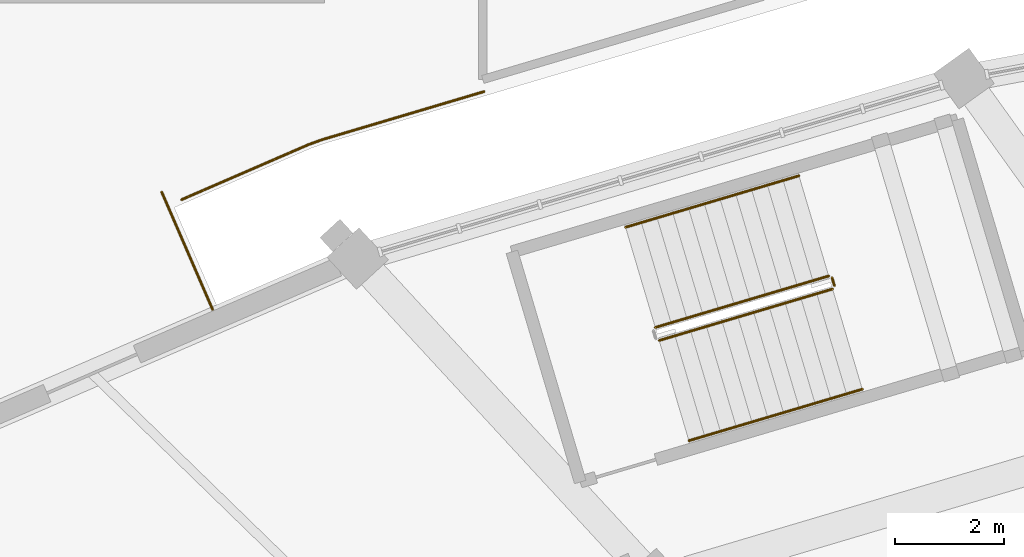
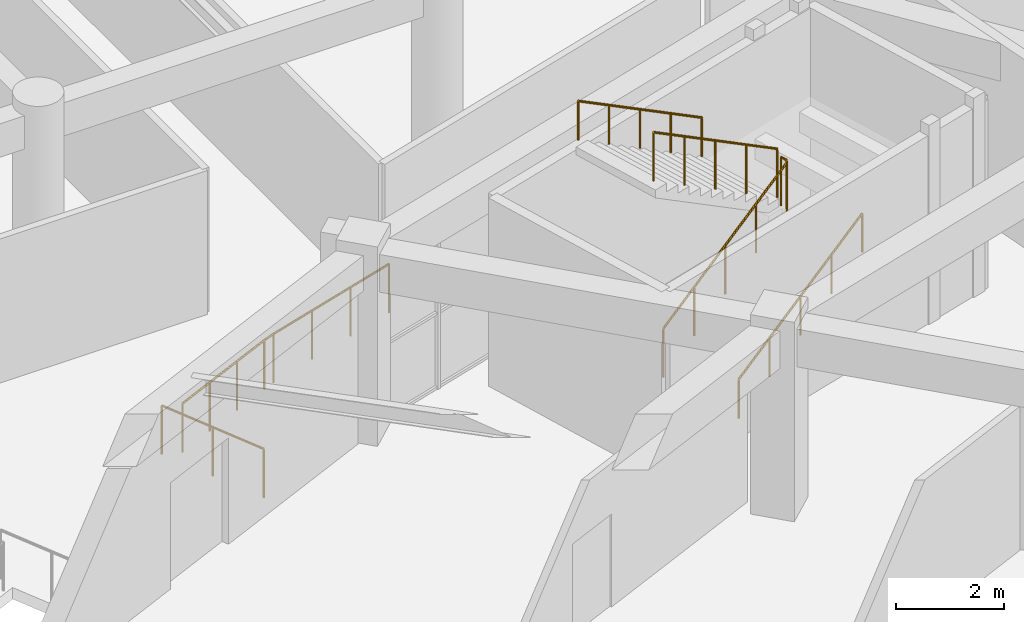
# One storey, part 138 of 145: 7 railings.
"""IFC4 building model written with IfcOpenShell, lengths in metres."""

from ifc_helpers import new_model, si_unit, direction, frame, origin, origin_2d, place, context, subcontext, project, spatial, circle, extrude, material, type_object, element, save


model = new_model("IFC4")

# Units and contexts
model_context = context("Model", 3, precision=1e-05, world=origin(), true_north=direction((0.0, 1.0)))
body_context = subcontext(model_context, "Body", "Model", "MODEL_VIEW")
ifc_project = project(units=[si_unit("LENGTHUNIT", "METRE"), si_unit("AREAUNIT", "SQUARE_METRE"), si_unit("VOLUMEUNIT", "CUBIC_METRE"), si_unit("PLANEANGLEUNIT", "RADIAN"), si_unit("MASSUNIT", "GRAM", prefix="KILO")], contexts=[model_context])

# Site, building, storey
site_placement = place(None, origin())
site = spatial("IfcSite", under=ifc_project, at=site_placement, CompositionType="ELEMENT")
building_placement = place(site_placement, origin())
building = spatial("IfcBuilding", under=site, at=building_placement, Name="Mphavela Belvedere Stadium", CompositionType="ELEMENT")
storey_placement = place(building_placement, frame((0.0, 0.0, 10.199951171875)))
storey = spatial("IfcBuildingStorey", under=building, at=storey_placement, Name="L02", CompositionType="ELEMENT", Elevation=10.199951171875)

# Railings
ifc_material_1 = material(Name="Bronze and laminated glass stadium balustrade", Category="glass")
railing_type_1 = type_object("IfcRailingType", Name="RAL-BALUSTRADE-1120", PredefinedType="BALUSTRADE", material=ifc_material_1)
railing_1_placement = place(storey_placement, frame((51.397216796875, 152.15380859375, 0.0)))
element("IfcRailing", 1, at=railing_1_placement, inside=storey, type_object=railing_type_1, Name="Colonnade link bridge balustrade L02-17A", PredefinedType="BALUSTRADE", context=body_context, shape_type="SweptSolid", body=[
    extrude(circle(Radius=0.02392578125, at=origin_2d()), frame((0.0, 0.0, 1.09619140625), z_axis=(-0.397677406785, 0.917525302176, 0.0), x_axis=(-0.917525302176, -0.397677406785, 0.0)), (0.0, 0.0, 1.0), 2.35009765625),
    extrude(circle(Radius=0.02099609375, at=origin_2d()), origin(), (0.0, 0.0, 1.0), 1.072021484375),
    extrude(circle(Radius=0.02099609375, at=origin_2d()), frame((-0.46728515625, 1.078125, 0.0)), (0.0, 0.0, 1.0), 1.072021484375),
    extrude(circle(Radius=0.02099609375, at=origin_2d()), frame((-0.9345703125, 2.15625, 0.0)), (0.0, 0.0, 1.0), 1.072021484375),
])
railing_2_placement = place(storey_placement, frame((56.3837890625, 156.15869140625, 0.0)))
element("IfcRailing", 2, at=railing_2_placement, inside=storey, type_object=railing_type_1, Name="Peristyle wing gallery edge balustrade L02-33", PredefinedType="BALUSTRADE", context=body_context, shape_type="SweptSolid", body=[
    extrude(circle(Radius=0.02392578125, at=origin_2d()), frame((0.0, 0.0, 1.09619140625), z_axis=(-0.958628081437, -0.284661556028, 0.0), x_axis=(0.284661556028, -0.958628081437, 0.0)), (0.0, 0.0, 1.0), 3.10302734375),
    extrude(circle(Radius=0.02392578125, at=origin_2d()), frame((-2.974609375, -0.88330078125, 1.09619140625), z_axis=(-0.939740596708, -0.341888301786, 0.0), x_axis=(0.341888301786, -0.939740596708, 0.0)), (0.0, 0.0, 1.0), 0.27001953125),
    extrude(circle(Radius=0.02392578125, at=origin_2d()), frame((-3.228271484375, -0.9755859375, 1.09619140625), z_axis=(-0.917490104343, -0.397758605731, 0.0), x_axis=(0.397758605731, -0.917490104343, 0.0)), (0.0, 0.0, 1.0), 2.5380859375),
    extrude(circle(Radius=0.02099609375, at=origin_2d()), origin(), (0.0, 0.0, 1.0), 1.072021484375),
    extrude(circle(Radius=0.02099609375, at=origin_2d()), frame((-0.991455078125, -0.29443359375, 0.0)), (0.0, 0.0, 1.0), 1.072021484375),
    extrude(circle(Radius=0.02099609375, at=origin_2d()), frame((-1.983154296875, -0.5888671875, 0.0)), (0.0, 0.0, 1.0), 1.072021484375),
    extrude(circle(Radius=0.02099609375, at=origin_2d()), frame((-2.974609375, -0.88330078125, 0.0)), (0.0, 0.0, 1.0), 1.072021484375),
    extrude(circle(Radius=0.02099609375, at=origin_2d()), frame((-3.228271484375, -0.9755859375, 0.0)), (0.0, 0.0, 1.0), 1.072021484375),
    extrude(circle(Radius=0.02099609375, at=origin_2d()), frame((-4.00439453125, -1.31201171875, 0.0)), (0.0, 0.0, 1.0), 1.072021484375),
    extrude(circle(Radius=0.02099609375, at=origin_2d()), frame((-4.78076171875, -1.648681640625, 0.0)), (0.0, 0.0, 1.0), 1.072021484375),
    extrude(circle(Radius=0.02099609375, at=origin_2d()), frame((-5.556884765625, -1.985107421875, 0.0)), (0.0, 0.0, 1.0), 1.072021484375),
])
ifc_material_2 = material(Name="Painted galvanised steel stair guardrail", Category="steel")
railing_type_2 = type_object("IfcRailingType", Name="RAL-GUARD-1120", PredefinedType="GUARDRAIL", material=ifc_material_2)
railing_3_placement = place(storey_placement, frame((59.60009765625, 151.58642578125, 0.1875)))
element("IfcRailing", 3, at=railing_3_placement, inside=storey, type_object=railing_type_2, Name="L02 ST-P03 stair guard 1", PredefinedType="GUARDRAIL", context=body_context, shape_type="SweptSolid", body=[
    extrude(circle(Radius=0.02392578125, at=origin_2d()), frame((0.0, 0.0, 1.09619140625), z_axis=(0.814456163261, 0.241701917202, 0.527485868386), x_axis=(-0.284501194376, 0.958675685724, 0.0)), (0.0, 0.0, 1.0), 3.91015625),
    extrude(circle(Radius=0.02099609375, at=origin_2d()), origin(), (0.0, 0.0, 1.0), 1.072021484375),
    extrude(circle(Radius=0.02099609375, at=origin_2d()), frame((0.796142578125, 0.236328125, 0.515625)), (0.0, 0.0, 1.0), 1.072021484375),
    extrude(circle(Radius=0.02099609375, at=origin_2d()), frame((1.59228515625, 0.47265625, 1.03125)), (0.0, 0.0, 1.0), 1.072021484375),
    extrude(circle(Radius=0.02099609375, at=origin_2d()), frame((2.388427734375, 0.708740234375, 1.546875)), (0.0, 0.0, 1.0), 1.072021484375),
    extrude(circle(Radius=0.02099609375, at=origin_2d()), frame((3.1845703125, 0.945068359375, 2.0625)), (0.0, 0.0, 1.0), 1.072021484375),
])
railing_4_placement = place(storey_placement, frame((62.818359375, 152.59375, 2.25)))
element("IfcRailing", 4, at=railing_4_placement, inside=storey, type_object=railing_type_2, Name="L02 ST-P03 stair guard 2", PredefinedType="GUARDRAIL", context=body_context, shape_type="SweptSolid", body=[
    extrude(circle(Radius=0.02392578125, at=origin_2d()), frame((0.0, 0.0, 1.09619140625), z_axis=(-0.284808608521, 0.958584402394, 0.0), x_axis=(-0.958584402394, -0.284808608521, 0.0)), (0.0, 0.0, 1.0), 0.14990234375),
    extrude(circle(Radius=0.02099609375, at=origin_2d()), origin(), (0.0, 0.0, 1.0), 1.072021484375),
    extrude(circle(Radius=0.02099609375, at=origin_2d()), frame((-0.042724609375, 0.143798828125, 0.0)), (0.0, 0.0, 1.0), 1.072021484375),
])
railing_5_placement = place(storey_placement, frame((62.713623046875, 152.771240234375, 2.4375)))
element("IfcRailing", 5, at=railing_5_placement, inside=storey, type_object=railing_type_2, Name="L02 ST-P03 stair guard 3", PredefinedType="GUARDRAIL", context=body_context, shape_type="SweptSolid", body=[
    extrude(circle(Radius=0.02392578125, at=origin_2d()), frame((0.0, 0.0, 1.09619140625), z_axis=(-0.814464890619, -0.241748413682, 0.527451084396), x_axis=(0.284548690927, -0.95866158914, 0.0)), (0.0, 0.0, 1.0), 3.910400390625),
    extrude(circle(Radius=0.02099609375, at=origin_2d()), origin(), (0.0, 0.0, 1.0), 1.072021484375),
    extrude(circle(Radius=0.02099609375, at=origin_2d()), frame((-0.796142578125, -0.236328125, 0.515625)), (0.0, 0.0, 1.0), 1.072021484375),
    extrude(circle(Radius=0.02099609375, at=origin_2d()), frame((-1.59228515625, -0.47265625, 1.03125)), (0.0, 0.0, 1.0), 1.072021484375),
    extrude(circle(Radius=0.02099609375, at=origin_2d()), frame((-2.388671875, -0.708984375, 1.546875)), (0.0, 0.0, 1.0), 1.072021484375),
    extrude(circle(Radius=0.02099609375, at=origin_2d()), frame((-3.184814453125, -0.9453125, 2.0625)), (0.0, 0.0, 1.0), 1.072021484375),
])
ifc_material_3 = material(Name="Brushed stainless steel tubular handrail", Category="steel")
railing_type_3 = type_object("IfcRailingType", Name="RAL-HANDRAIL-900", PredefinedType="HANDRAIL", material=ifc_material_3)
railing_6_placement = place(storey_placement, frame((60.146240234375, 149.74560546875, 0.1875)))
element("IfcRailing", 6, at=railing_6_placement, inside=storey, type_object=railing_type_3, Name="L02 ST-P03 stair handrail 1", PredefinedType="HANDRAIL", context=body_context, shape_type="SweptSolid", body=[
    extrude(circle(Radius=0.02392578125, at=origin_2d()), frame((0.0, 0.0, 0.8759765625), z_axis=(0.814464890619, 0.241748413682, 0.527451084396), x_axis=(-0.284548690927, 0.95866158914, 0.0)), (0.0, 0.0, 1.0), 3.910400390625),
    extrude(circle(Radius=0.02099609375, at=origin_2d()), origin(), (0.0, 0.0, 1.0), 0.851806640625),
    extrude(circle(Radius=0.02099609375, at=origin_2d()), frame((0.796142578125, 0.236328125, 0.515625)), (0.0, 0.0, 1.0), 0.851806640625),
    extrude(circle(Radius=0.02099609375, at=origin_2d()), frame((1.59228515625, 0.47265625, 1.03125)), (0.0, 0.0, 1.0), 0.851806640625),
    extrude(circle(Radius=0.02099609375, at=origin_2d()), frame((2.388671875, 0.708984375, 1.546875)), (0.0, 0.0, 1.0), 0.851806640625),
    extrude(circle(Radius=0.02099609375, at=origin_2d()), frame((3.184814453125, 0.9453125, 2.0625)), (0.0, 0.0, 1.0), 0.851806640625),
])
railing_7_placement = place(storey_placement, frame((62.167236328125, 154.61181640625, 2.4375)))
element("IfcRailing", 7, at=railing_7_placement, inside=storey, type_object=railing_type_3, Name="L02 ST-P03 stair handrail 2", PredefinedType="HANDRAIL", context=body_context, shape_type="SweptSolid", body=[
    extrude(circle(Radius=0.02392578125, at=origin_2d()), frame((0.0, 0.0, 0.8759765625), z_axis=(-0.814443870456, -0.241760707329, 0.527477906901), x_axis=(0.28456873899, -0.958655638271, 0.0)), (0.0, 0.0, 1.0), 3.91015625),
    extrude(circle(Radius=0.02099609375, at=origin_2d()), origin(), (0.0, 0.0, 1.0), 0.851806640625),
    extrude(circle(Radius=0.02099609375, at=origin_2d()), frame((-0.796142578125, -0.236328125, 0.515625)), (0.0, 0.0, 1.0), 0.851806640625),
    extrude(circle(Radius=0.02099609375, at=origin_2d()), frame((-1.59228515625, -0.47265625, 1.03125)), (0.0, 0.0, 1.0), 0.851806640625),
    extrude(circle(Radius=0.02099609375, at=origin_2d()), frame((-2.388427734375, -0.708984375, 1.546875)), (0.0, 0.0, 1.0), 0.851806640625),
    extrude(circle(Radius=0.02099609375, at=origin_2d()), frame((-3.1845703125, -0.9453125, 2.0625)), (0.0, 0.0, 1.0), 0.851806640625),
])

save(model, "model.ifc")
